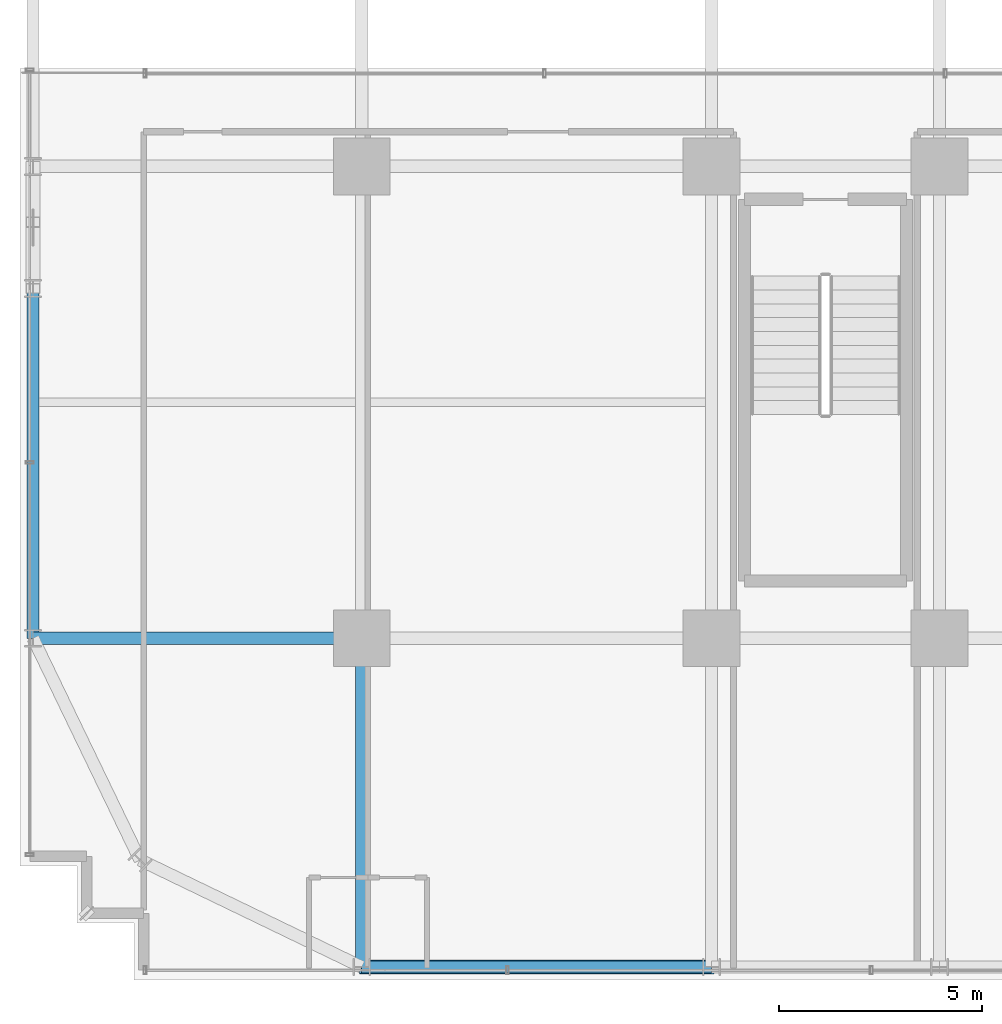
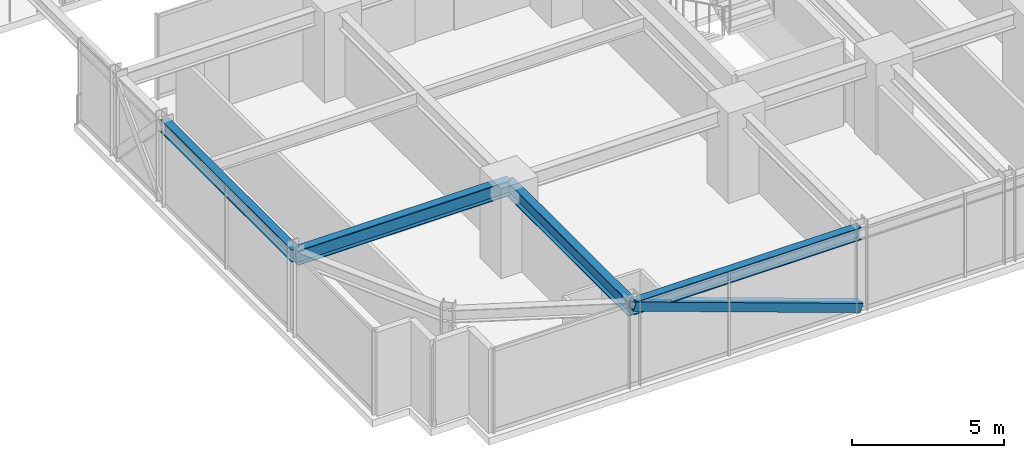
# One storey, part 4 of 47: 4 beams, 1 member.
"""IFC4 building model written with IfcOpenShell, lengths in metres."""

from ifc_helpers import new_model, si_unit, direction, frame, origin, origin_2d, place, context, subcontext, project, spatial, hollow_rectangle, i_section, extrude, source, transform, mapped, material, material_profile, profile_set, type_object, element, save


model = new_model("IFC4")

# Units and contexts
model_context = context("Model", 3, precision=1e-05, world=origin(), true_north=direction((0.0, 1.0)))
body_context = subcontext(model_context, "Body", "Model", "MODEL_VIEW")
ifc_project = project(units=[si_unit("LENGTHUNIT", "METRE"), si_unit("AREAUNIT", "SQUARE_METRE"), si_unit("VOLUMEUNIT", "CUBIC_METRE"), si_unit("PLANEANGLEUNIT", "RADIAN"), si_unit("MASSUNIT", "GRAM", prefix="KILO")], contexts=[model_context])

# Site, building, storey
site_placement = place(None, origin())
site = spatial("IfcSite", under=ifc_project, at=site_placement, CompositionType="ELEMENT")
building_placement = place(site_placement, origin())
building = spatial("IfcBuilding", under=site, at=building_placement, Name="Nahalor Promenade Grand Hotel", CompositionType="ELEMENT")
storey_placement = place(building_placement, frame((0.0, 0.0, 68.89990234375)))
storey = spatial("IfcBuildingStorey", under=building, at=storey_placement, Name="L16", CompositionType="ELEMENT", Elevation=68.89990234375)

# Beams
ifc_material = material(Name="Steel S355JR", Category="steel")
ifc_material_profile_1 = material_profile(ifc_material, i_section(OverallWidth=0.3, OverallDepth=0.5, WebThickness=0.0145, FlangeThickness=0.028, at=origin_2d()), Name="HEB 500")
ifc_profile_set_1 = profile_set([ifc_material_profile_1], Name="Steel S355JR")
beam_type_1 = type_object("IfcBeamType", Name="Beam-Spandrel-HEB500", PredefinedType="SPANDREL", material=ifc_profile_set_1)
shared_shape_1 = source(origin(), body_context, "Body", "SweptSolid", [
    extrude(i_section(OverallWidth=0.3, OverallDepth=0.5, WebThickness=0.0145, FlangeThickness=0.028, at=origin_2d()), origin(), (0.0, 0.0, 1.0), 8.60009765625),
])
for number, where, z_axis, x_axis, name in (
    (1, (-17.0, -25.080078125, 3.1201171875), (1.0, 0.0, 0.0), (0.0, 1.0, 0.0), "BM-L16-SP-S-0"),
    (2, (-25.080078125, -17.0, 3.1201171875), (0.0, 1.0, 0.0), (-1.0, 0.0, 0.0), "BM-L16-SP-W-0"),
):
    element("IfcBeam", number, at=place(storey_placement, frame(where, z_axis=z_axis, x_axis=x_axis)), inside=storey, type_object=beam_type_1, Name=name, PredefinedType="SPANDREL", context=body_context, shape_type="MappedRepresentation", body=[
        mapped(shared_shape_1, transform((0.0, 0.0, 0.0), scale=1.0)),
    ])
ifc_material_profile_2 = material_profile(ifc_material, i_section(OverallWidth=0.3, OverallDepth=0.6, WebThickness=0.0155, FlangeThickness=0.03, at=origin_2d()), Name="HEB 600")
ifc_profile_set_2 = profile_set([ifc_material_profile_2], Name="Steel S355JR")
beam_type_2 = type_object("IfcBeamType", Name="Beam-Girder-HEB600", PredefinedType="BEAM", material=ifc_profile_set_2)
shared_shape_2 = source(origin(), body_context, "Body", "SweptSolid", [
    extrude(i_section(OverallWidth=0.3, OverallDepth=0.6, WebThickness=0.0155, FlangeThickness=0.03, at=origin_2d()), origin(), (0.0, 0.0, 1.0), 8.080078125),
])
for number, where, z_axis, x_axis, name in (
    (3, (-25.080078125, -17.0, 3.070068359375), (1.0, 0.0, 0.0), (0.0, 1.0, 0.0), "BM-L16-GX-0-0"),
    (4, (-17.0, -25.080078125, 3.070068359375), (0.0, 1.0, 0.0), (-1.0, 0.0, 0.0), "BM-L16-GY-0-0"),
):
    element("IfcBeam", number, at=place(storey_placement, frame(where, z_axis=z_axis, x_axis=x_axis)), inside=storey, type_object=beam_type_2, Name=name, PredefinedType="BEAM", context=body_context, shape_type="MappedRepresentation", body=[
        mapped(shared_shape_2, transform((0.0, 0.0, 0.0), scale=1.0)),
    ])

# Member
ifc_material_profile_3 = material_profile(ifc_material, hollow_rectangle(XDim=0.35, YDim=0.35, WallThickness=0.02, at=origin_2d()), Name="SHS 350x350x20")
ifc_profile_set_3 = profile_set([ifc_material_profile_3], Name="Steel S355JR")
member_type = type_object("IfcMemberType", Name="Mem-VoidBrace-SHS350", PredefinedType="BRACE", material=ifc_profile_set_3)
shared_shape_3 = source(origin(), body_context, "Body", "SweptSolid", [
    extrude(hollow_rectangle(XDim=0.35, YDim=0.35, WallThickness=0.02, at=origin_2d()), origin(), (0.0, 0.0, 1.0), 9.131591796875),
])
member_placement = place(storey_placement, frame((-8.39990234375, -25.080078125, 0.150146484375), z_axis=(-0.941790292179, 0.0, 0.336200900589), x_axis=(0.0, -1.0, 0.0)))
element("IfcMember", 5, at=member_placement, inside=storey, type_object=member_type, Name="EXO-L16-S-0", PredefinedType="BRACE", context=body_context, shape_type="MappedRepresentation", body=[
    mapped(shared_shape_3, transform((0.0, 0.0, 0.0), scale=1.0)),
])

save(model, "model.ifc")
